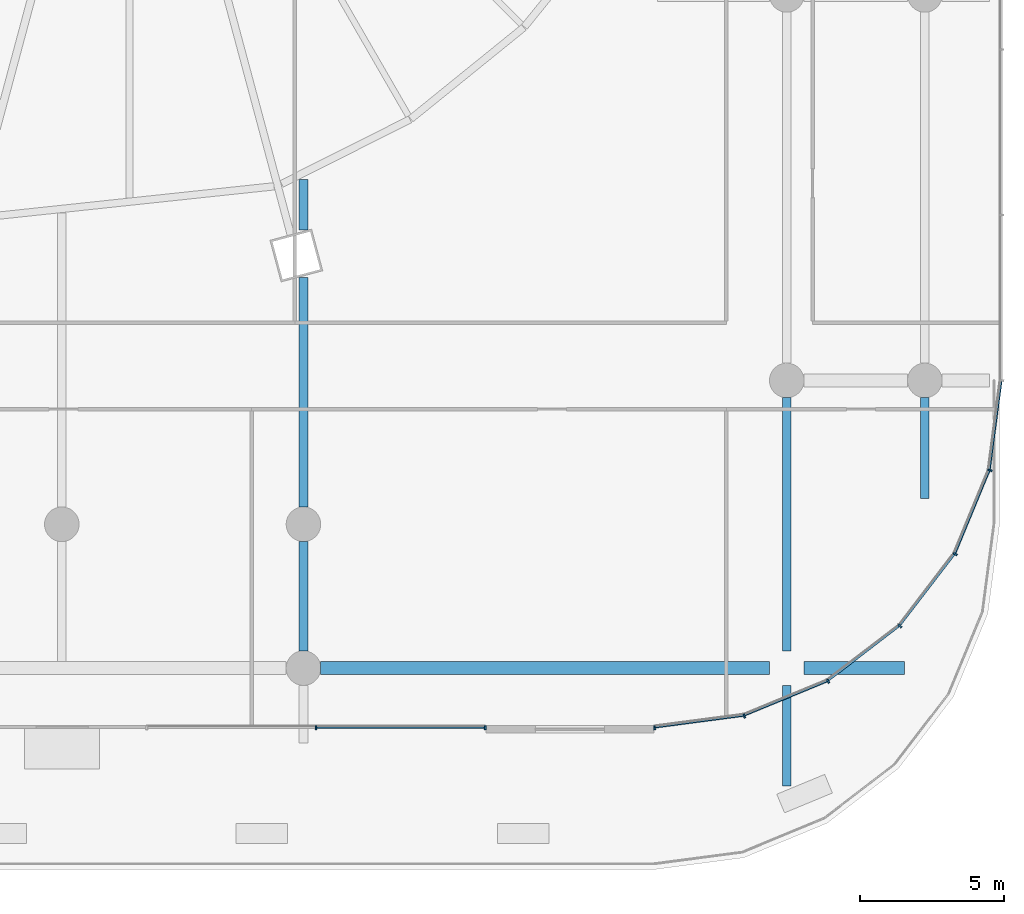
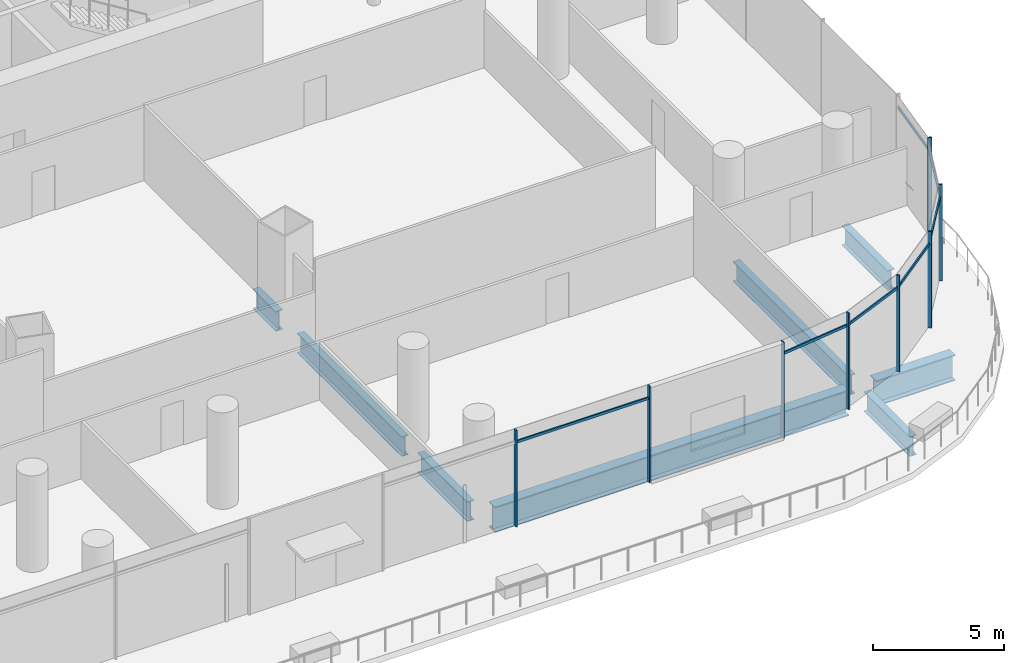
# One storey, part 12 of 43: 15 members, 8 beams, 1 element without a shape of its own.
"""IFC4 building model written with IfcOpenShell, lengths in metres."""

from ifc_helpers import new_model, si_unit, direction, frame, origin, origin_2d, place, context, subcontext, project, spatial, rectangle, i_section, extrude, material, material_profile, profile_set, type_object, element, aggregate, save


model = new_model("IFC4")

# Units and contexts
model_context = context("Model", 3, precision=1e-05, world=origin(), true_north=direction((0.0, 1.0)))
body_context = subcontext(model_context, "Body", "Model", "MODEL_VIEW")
ifc_project = project(units=[si_unit("LENGTHUNIT", "METRE"), si_unit("AREAUNIT", "SQUARE_METRE"), si_unit("VOLUMEUNIT", "CUBIC_METRE"), si_unit("PLANEANGLEUNIT", "RADIAN"), si_unit("MASSUNIT", "GRAM", prefix="KILO")], contexts=[model_context])

# Site, building, storey
site_placement = place(None, origin())
site = spatial("IfcSite", under=ifc_project, at=site_placement, CompositionType="ELEMENT")
building_placement = place(site_placement, origin())
building = spatial("IfcBuilding", under=site, at=building_placement, Name="Rimbun Link Towers", CompositionType="ELEMENT")
storey_placement = place(building_placement, frame((0.0, 0.0, 12.0)))
storey = spatial("IfcBuildingStorey", under=building, at=storey_placement, Name="L02", CompositionType="ELEMENT", Elevation=12.0)

# Curtain wall, members
ifc_material_1 = material(Name="Aluminium 6063-T6 and low-iron glass", Category="aluminium")
curtain_wall_type = type_object("IfcCurtainWallType", Name="CW3 podium shopfront", PredefinedType="NOTDEFINED", material=ifc_material_1)
curtain_wall_placement = place(storey_placement, origin())
curtain_wall = element("IfcCurtainWall", 1, at=curtain_wall_placement, inside=storey, type_object=curtain_wall_type, Name="CW3 L02 PD", PredefinedType="NOTDEFINED")
ifc_material_2 = material(Name="Aluminium 6063-T6", Category="aluminium")
ifc_material_profile_1 = material_profile(ifc_material_2, rectangle(XDim=0.14990234375, YDim=0.06005859375, at=origin_2d()), Name="MULLION 60X150")
ifc_profile_set_1 = profile_set([ifc_material_profile_1], Name="Aluminium 6063-T6")
member_type_1 = type_object("IfcMemberType", Name="CW3 mullion 60X150", PredefinedType="MULLION", material=ifc_profile_set_1)
member_1_placement = place(storey_placement, frame((53.125244140625, -37.66357421875, 0.0), z_axis=(0.0, 0.0, 1.0), x_axis=(0.258818729038, -0.965925910978, 0.0)))
member_1 = element("IfcMember", 2, at=member_1_placement, type_object=member_type_1, Name="CW3 mullion", PredefinedType="MULLION", context=body_context, shape_type="SweptSolid", body=[
    extrude(rectangle(XDim=0.14990234375, YDim=0.06005859375, at=origin_2d()), origin(), (0.0, 0.0, 1.0), 4.5),
])
member_2_placement = place(storey_placement, frame((50.0048828125, -38.074951171875, 0.0), z_axis=(0.0, 0.0, 1.0), x_axis=(0.065405288299, -0.997858781723, 0.0)))
member_2 = element("IfcMember", 3, at=member_2_placement, type_object=member_type_1, Name="CW3 mullion", PredefinedType="MULLION", context=body_context, shape_type="SweptSolid", body=[
    extrude(rectangle(XDim=0.14990234375, YDim=0.06005859375, at=origin_2d()), origin(), (0.0, 0.0, 1.0), 4.5),
])
member_3_placement = place(storey_placement, frame((56.03759765625, -36.457275390625, 0.0), z_axis=(0.0, 0.0, 1.0), x_axis=(0.499993701568, -0.866029040155, 0.0)))
member_3 = element("IfcMember", 4, at=member_3_placement, type_object=member_type_1, Name="CW3 mullion", PredefinedType="MULLION", context=body_context, shape_type="SweptSolid", body=[
    extrude(rectangle(XDim=0.14990234375, YDim=0.06005859375, at=origin_2d()), origin(), (0.0, 0.0, 1.0), 4.5),
])
member_4_placement = place(storey_placement, frame((58.538330078125, -34.538330078125, 0.0), z_axis=(0.0, 0.0, 1.0), x_axis=(0.707106781187, -0.707106781187, 0.0)))
member_4 = element("IfcMember", 5, at=member_4_placement, type_object=member_type_1, Name="CW3 mullion", PredefinedType="MULLION", context=body_context, shape_type="SweptSolid", body=[
    extrude(rectangle(XDim=0.14990234375, YDim=0.06005859375, at=origin_2d()), origin(), (0.0, 0.0, 1.0), 4.5),
])
member_5_placement = place(storey_placement, frame((60.457275390625, -32.03759765625, 0.0), z_axis=(0.0, 0.0, 1.0), x_axis=(0.866029040155, -0.499993701568, 0.0)))
member_5 = element("IfcMember", 6, at=member_5_placement, type_object=member_type_1, Name="CW3 mullion", PredefinedType="MULLION", context=body_context, shape_type="SweptSolid", body=[
    extrude(rectangle(XDim=0.14990234375, YDim=0.06005859375, at=origin_2d()), origin(), (0.0, 0.0, 1.0), 4.5),
])
member_6_placement = place(storey_placement, frame((61.66357421875, -29.125244140625, 0.0), z_axis=(0.0, 0.0, 1.0), x_axis=(0.965925910978, -0.258818729038, 0.0)))
member_6 = element("IfcMember", 7, at=member_6_placement, type_object=member_type_1, Name="CW3 mullion", PredefinedType="MULLION", context=body_context, shape_type="SweptSolid", body=[
    extrude(rectangle(XDim=0.14990234375, YDim=0.06005859375, at=origin_2d()), origin(), (0.0, 0.0, 1.0), 4.5),
])
member_7_placement = place(storey_placement, frame((38.2353515625, -38.074951171875, 0.0), z_axis=(0.0, 0.0, 1.0), x_axis=(0.0, -1.0, 0.0)))
member_7 = element("IfcMember", 8, at=member_7_placement, type_object=member_type_1, Name="CW3 mullion", PredefinedType="MULLION", context=body_context, shape_type="SweptSolid", body=[
    extrude(rectangle(XDim=0.14990234375, YDim=0.06005859375, at=origin_2d()), origin(), (0.0, 0.0, 1.0), 4.5),
])
member_8_placement = place(storey_placement, frame((44.11767578125, -38.074951171875, 0.0), z_axis=(0.0, 0.0, 1.0), x_axis=(0.0, -1.0, 0.0)))
member_8 = element("IfcMember", 9, at=member_8_placement, type_object=member_type_1, Name="CW3 mullion", PredefinedType="MULLION", context=body_context, shape_type="SweptSolid", body=[
    extrude(rectangle(XDim=0.14990234375, YDim=0.06005859375, at=origin_2d()), origin(), (0.0, 0.0, 1.0), 4.5),
])
ifc_material_3 = material(Name="Aluminium 6063-T6", Category="aluminium")
ifc_material_profile_2 = material_profile(ifc_material_3, rectangle(XDim=0.06005859375, YDim=0.1201171875, at=origin_2d()), Name="TRANSOM 60X120")
ifc_profile_set_2 = profile_set([ifc_material_profile_2], Name="Aluminium 6063-T6")
member_type_2 = type_object("IfcMemberType", Name="CW3 transom 60X120", PredefinedType="USERDEFINED", material=ifc_profile_set_2)
member_9_placement = place(storey_placement, frame((53.0830078125, -37.6484375, 3.89990234375), z_axis=(-0.991441037829, -0.130555231638, 0.0), x_axis=(0.130555231638, -0.991441037829, 0.0)))
member_9 = element("IfcMember", 10, at=member_9_placement, type_object=member_type_2, Name="CW3 transom", ObjectType="TRANSOM", PredefinedType="USERDEFINED", context=body_context, shape_type="SweptSolid", body=[
    extrude(rectangle(XDim=0.06005859375, YDim=0.1201171875, at=origin_2d()), origin(), (0.0, 0.0, 1.0), 3.072509765625),
])
member_10_placement = place(storey_placement, frame((55.992919921875, -36.45361328125, 3.89990234375), z_axis=(-0.923881248716, -0.382679289053, 0.0), x_axis=(0.382679289053, -0.923881248716, 0.0)))
member_10 = element("IfcMember", 11, at=member_10_placement, type_object=member_type_2, Name="CW3 transom", ObjectType="TRANSOM", PredefinedType="USERDEFINED", context=body_context, shape_type="SweptSolid", body=[
    extrude(rectangle(XDim=0.06005859375, YDim=0.1201171875, at=origin_2d()), origin(), (0.0, 0.0, 1.0), 3.072509765625),
])
member_11_placement = place(storey_placement, frame((58.494384765625, -34.54638671875, 3.89990234375), z_axis=(-0.793344129687, -0.608773432314, 0.0), x_axis=(0.608773432314, -0.793344129687, 0.0)))
member_11 = element("IfcMember", 12, at=member_11_placement, type_object=member_type_2, Name="CW3 transom", ObjectType="TRANSOM", PredefinedType="USERDEFINED", context=body_context, shape_type="SweptSolid", body=[
    extrude(rectangle(XDim=0.06005859375, YDim=0.1201171875, at=origin_2d()), origin(), (0.0, 0.0, 1.0), 3.07275390625),
])
member_12_placement = place(storey_placement, frame((60.4169921875, -32.056640625, 3.89990234375), z_axis=(-0.608773432314, -0.793344129687, 0.0), x_axis=(0.793344129687, -0.608773432314, 0.0)))
member_12 = element("IfcMember", 13, at=member_12_placement, type_object=member_type_2, Name="CW3 transom", ObjectType="TRANSOM", PredefinedType="USERDEFINED", context=body_context, shape_type="SweptSolid", body=[
    extrude(rectangle(XDim=0.06005859375, YDim=0.1201171875, at=origin_2d()), origin(), (0.0, 0.0, 1.0), 3.07275390625),
])
member_13_placement = place(storey_placement, frame((61.62939453125, -29.154296875, 3.89990234375), z_axis=(-0.382679289053, -0.923881248716, 0.0), x_axis=(0.923881248716, -0.382679289053, 0.0)))
member_13 = element("IfcMember", 14, at=member_13_placement, type_object=member_type_2, Name="CW3 transom", ObjectType="TRANSOM", PredefinedType="USERDEFINED", context=body_context, shape_type="SweptSolid", body=[
    extrude(rectangle(XDim=0.06005859375, YDim=0.1201171875, at=origin_2d()), origin(), (0.0, 0.0, 1.0), 3.072509765625),
])
member_14_placement = place(storey_placement, frame((62.049560546875, -26.036865234375, 3.89990234375), z_axis=(-0.130555231638, -0.991441037829, 0.0), x_axis=(0.991441037829, -0.130555231638, 0.0)))
member_14 = element("IfcMember", 15, at=member_14_placement, type_object=member_type_2, Name="CW3 transom", ObjectType="TRANSOM", PredefinedType="USERDEFINED", context=body_context, shape_type="SweptSolid", body=[
    extrude(rectangle(XDim=0.06005859375, YDim=0.1201171875, at=origin_2d()), origin(), (0.0, 0.0, 1.0), 3.072509765625),
])
member_15_placement = place(storey_placement, frame((44.087646484375, -38.053955078125, 3.89990234375), z_axis=(-1.0, 0.0, 0.0), x_axis=(0.0, -1.0, 0.0)))
member_15 = element("IfcMember", 16, at=member_15_placement, type_object=member_type_2, Name="CW3 transom", ObjectType="TRANSOM", PredefinedType="USERDEFINED", context=body_context, shape_type="SweptSolid", body=[
    extrude(rectangle(XDim=0.06005859375, YDim=0.1201171875, at=origin_2d()), origin(), (0.0, 0.0, 1.0), 5.822265625),
])
aggregate(curtain_wall, [member_1, member_2, member_3, member_4, member_5, member_6, member_7, member_8, member_9, member_10, member_11, member_12, member_13, member_14, member_15])

# Beams
ifc_material_4 = material(Name="Steel S355J2", Category="steel")
ifc_material_profile_3 = material_profile(ifc_material_4, i_section(OverallWidth=0.449951171875, OverallDepth=1.199951171875, WebThickness=0.030029296875, FlangeThickness=0.044921875, at=origin_2d()), Name="PG 1200x450x30/45")
ifc_profile_set_3 = profile_set([ifc_material_profile_3], Name="Steel S355J2")
beam_type_1 = type_object("IfcBeamType", Name="PG 1200x450x30/45", PredefinedType="BEAM", material=ifc_profile_set_3)
beam_1_placement = place(storey_placement, frame((38.39990234375, -36.0, -0.89990234375), z_axis=(1.0, 0.0, 0.0), x_axis=(0.0, 1.0, 0.0)))
element("IfcBeam", 17, at=beam_1_placement, inside=storey, type_object=beam_type_1, Name="Grid beam L02 -36.0", PredefinedType="BEAM", context=body_context, shape_type="SweptSolid", body=[
    extrude(i_section(OverallWidth=0.449951171875, OverallDepth=1.199951171875, WebThickness=0.030029296875, FlangeThickness=0.044921875, at=origin_2d()), origin(), (0.0, 0.0, 1.0), 15.60009765625),
])
beam_2_placement = place(storey_placement, frame((55.199951171875, -36.0, -0.89990234375), z_axis=(1.0, 0.0, 0.0), x_axis=(0.0, 1.0, 0.0)))
element("IfcBeam", 18, at=beam_2_placement, inside=storey, type_object=beam_type_1, Name="Grid beam L02 -36.0", PredefinedType="BEAM", context=body_context, shape_type="SweptSolid", body=[
    extrude(i_section(OverallWidth=0.449951171875, OverallDepth=1.199951171875, WebThickness=0.030029296875, FlangeThickness=0.044921875, at=origin_2d()), origin(), (0.0, 0.0, 1.0), 3.5),
])
ifc_material_5 = material(Name="Steel S355J2", Category="steel")
ifc_material_profile_4 = material_profile(ifc_material_5, i_section(OverallWidth=0.305419921875, OverallDepth=0.91845703125, WebThickness=0.017333984375, FlangeThickness=0.02783203125, at=origin_2d()), Name="UB 914x305x253")
ifc_profile_set_4 = profile_set([ifc_material_profile_4], Name="Steel S355J2")
beam_type_2 = type_object("IfcBeamType", Name="UB 914x305x253", PredefinedType="BEAM", material=ifc_profile_set_4)
beam_3_placement = place(storey_placement, frame((37.800048828125, -35.39990234375, -0.75927734375), z_axis=(0.0, 1.0, 0.0), x_axis=(-1.0, 0.0, 0.0)))
element("IfcBeam", 19, at=beam_3_placement, inside=storey, type_object=beam_type_2, Name="Grid beam L02 +37.8", PredefinedType="BEAM", context=body_context, shape_type="SweptSolid", body=[
    extrude(i_section(OverallWidth=0.305419921875, OverallDepth=0.91845703125, WebThickness=0.017333984375, FlangeThickness=0.02783203125, at=origin_2d()), origin(), (0.0, 0.0, 1.0), 3.7998046875),
])
beam_4_placement = place(storey_placement, frame((37.800048828125, -30.39990234375, -0.75927734375), z_axis=(0.0, 1.0, 0.0), x_axis=(-1.0, 0.0, 0.0)))
element("IfcBeam", 20, at=beam_4_placement, inside=storey, type_object=beam_type_2, Name="Grid beam L02 +37.8", PredefinedType="BEAM", context=body_context, shape_type="SweptSolid", body=[
    extrude(i_section(OverallWidth=0.305419921875, OverallDepth=0.91845703125, WebThickness=0.017333984375, FlangeThickness=0.02783203125, at=origin_2d()), origin(), (0.0, 0.0, 1.0), 7.984130859375),
])
beam_5_placement = place(storey_placement, frame((37.800048828125, -20.7685546875, -0.75927734375), z_axis=(0.0, 1.0, 0.0), x_axis=(-1.0, 0.0, 0.0)))
element("IfcBeam", 21, at=beam_5_placement, inside=storey, type_object=beam_type_2, Name="Grid beam L02 +37.8", PredefinedType="BEAM", context=body_context, shape_type="SweptSolid", body=[
    extrude(i_section(OverallWidth=0.305419921875, OverallDepth=0.91845703125, WebThickness=0.017333984375, FlangeThickness=0.02783203125, at=origin_2d()), origin(), (0.0, 0.0, 1.0), 1.7607421875),
])
beam_6_placement = place(storey_placement, frame((54.60009765625, -40.10009765625, -0.75927734375), z_axis=(0.0, 1.0, 0.0), x_axis=(-1.0, 0.0, 0.0)))
element("IfcBeam", 22, at=beam_6_placement, inside=storey, type_object=beam_type_2, Name="Grid beam L02 +54.6", PredefinedType="BEAM", context=body_context, shape_type="SweptSolid", body=[
    extrude(i_section(OverallWidth=0.305419921875, OverallDepth=0.91845703125, WebThickness=0.017333984375, FlangeThickness=0.02783203125, at=origin_2d()), origin(), (0.0, 0.0, 1.0), 3.5),
])
beam_7_placement = place(storey_placement, frame((54.60009765625, -35.39990234375, -0.75927734375), z_axis=(0.0, 1.0, 0.0), x_axis=(-1.0, 0.0, 0.0)))
element("IfcBeam", 23, at=beam_7_placement, inside=storey, type_object=beam_type_2, Name="Grid beam L02 +54.6", PredefinedType="BEAM", context=body_context, shape_type="SweptSolid", body=[
    extrude(i_section(OverallWidth=0.305419921875, OverallDepth=0.91845703125, WebThickness=0.017333984375, FlangeThickness=0.02783203125, at=origin_2d()), origin(), (0.0, 0.0, 1.0), 8.7998046875),
])
beam_8_placement = place(storey_placement, frame((59.39990234375, -30.10009765625, -0.75927734375), z_axis=(0.0, 1.0, 0.0), x_axis=(-1.0, 0.0, 0.0)))
element("IfcBeam", 24, at=beam_8_placement, inside=storey, type_object=beam_type_2, Name="Grid beam L02 +59.4", PredefinedType="BEAM", context=body_context, shape_type="SweptSolid", body=[
    extrude(i_section(OverallWidth=0.305419921875, OverallDepth=0.91845703125, WebThickness=0.017333984375, FlangeThickness=0.02783203125, at=origin_2d()), origin(), (0.0, 0.0, 1.0), 3.5),
])

save(model, "model.ifc")
